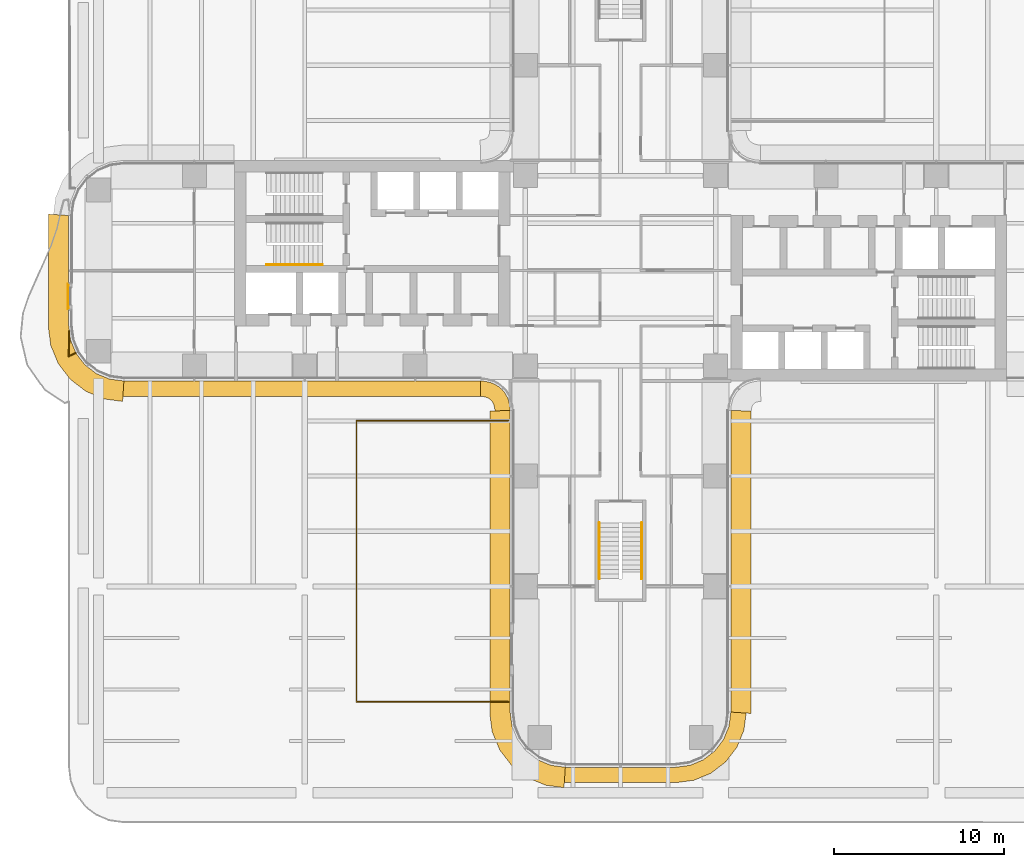
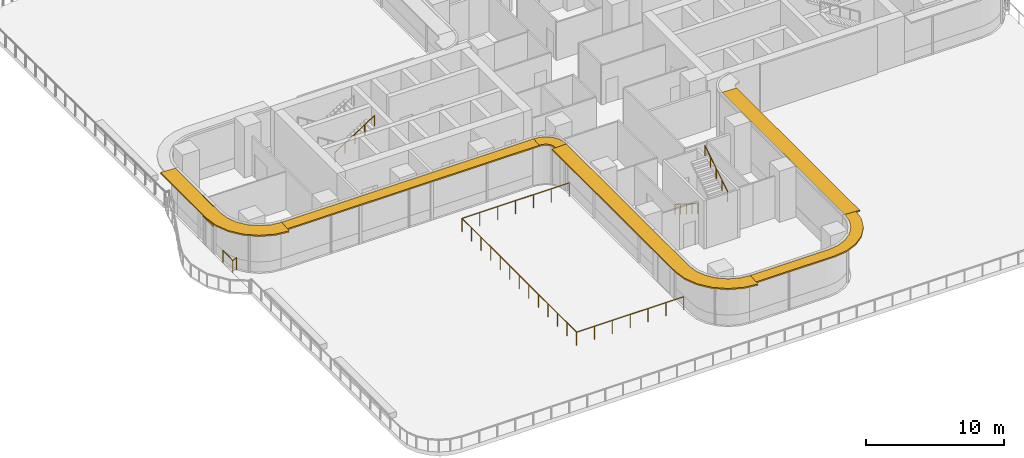
# One storey, part 25 of 29: 6 shading devices, 5 railings, 1 covering.
"""IFC4 building model written with IfcOpenShell, lengths in metres."""

from ifc_helpers import new_model, si_unit, direction, frame, origin, origin_2d, place, context, subcontext, project, spatial, polyline, rectangle, circle, outline, extrude, source, transform, mapped, material, layer, layer_set, type_object, element, save


model = new_model("IFC4")

# Units and contexts
model_context = context("Model", 3, precision=1e-05, world=origin(), true_north=direction((0.0, 1.0)))
body_context = subcontext(model_context, "Body", "Model", "MODEL_VIEW")
ifc_project = project(units=[si_unit("LENGTHUNIT", "METRE"), si_unit("AREAUNIT", "SQUARE_METRE"), si_unit("VOLUMEUNIT", "CUBIC_METRE"), si_unit("PLANEANGLEUNIT", "RADIAN"), si_unit("MASSUNIT", "GRAM", prefix="KILO")], contexts=[model_context])

# Site, building, storey
site_placement = place(None, origin())
site = spatial("IfcSite", under=ifc_project, at=site_placement, CompositionType="ELEMENT")
building_placement = place(site_placement, origin())
building = spatial("IfcBuilding", under=site, at=building_placement, Name="Trellis Farm Tower", CompositionType="ELEMENT")
storey_placement = place(building_placement, frame((0.0, 0.0, 34.0)))
storey = spatial("IfcBuildingStorey", under=building, at=storey_placement, Name="L06", CompositionType="ELEMENT", Elevation=34.0)

# Railing
ifc_material_1 = material(Name="Stainless steel 316", Category="steel")
railing_type_1 = type_object("IfcRailingType", Name="BALUSTRADE GUARD 1200", PredefinedType="GUARDRAIL", material=ifc_material_1)
railing_1_placement = place(storey_placement, frame((-6.60009765625, -25.39990234375, 0.0)))
element("IfcRailing", 1, at=railing_1_placement, inside=storey, type_object=railing_type_1, Name="GD2 ZN-1", PredefinedType="GUARDRAIL", context=body_context, shape_type="SweptSolid", body=[
    extrude(rectangle(XDim=0.050048828125, YDim=0.050048828125, at=origin_2d()), frame((0.0, 0.0, 1.1748046875), z_axis=(-1.0, 0.0, 0.0), x_axis=(0.0, -1.0, 0.0)), (0.0, 0.0, 1.0), 8.953125),
    extrude(rectangle(XDim=0.050048828125, YDim=0.050048828125, at=origin_2d()), frame((-8.953125, 0.0, 1.1748046875), z_axis=(0.0, 1.0, 0.0), x_axis=(-1.0, 0.0, 0.0)), (0.0, 0.0, 1.0), 16.568603515625),
    extrude(rectangle(XDim=0.050048828125, YDim=0.050048828125, at=origin_2d()), frame((-8.953125, 16.568603515625, 1.1748046875), z_axis=(1.0, 0.0, 0.0), x_axis=(0.0, 1.0, 0.0)), (0.0, 0.0, 1.0), 8.953125),
    extrude(rectangle(XDim=0.0400390625, YDim=0.0400390625, at=origin_2d()), origin(), (0.0, 0.0, 1.0), 1.14990234375),
    extrude(rectangle(XDim=0.0400390625, YDim=0.0400390625, at=origin_2d()), frame((-1.4921875, 0.0, 0.0)), (0.0, 0.0, 1.0), 1.14990234375),
    extrude(rectangle(XDim=0.0400390625, YDim=0.0400390625, at=origin_2d()), frame((-2.984375, 0.0, 0.0)), (0.0, 0.0, 1.0), 1.14990234375),
    extrude(rectangle(XDim=0.0400390625, YDim=0.0400390625, at=origin_2d()), frame((-4.4765625, 0.0, 0.0)), (0.0, 0.0, 1.0), 1.14990234375),
    extrude(rectangle(XDim=0.0400390625, YDim=0.0400390625, at=origin_2d()), frame((-5.96875, 0.0, 0.0)), (0.0, 0.0, 1.0), 1.14990234375),
    extrude(rectangle(XDim=0.0400390625, YDim=0.0400390625, at=origin_2d()), frame((-7.4609375, 0.0, 0.0)), (0.0, 0.0, 1.0), 1.14990234375),
    extrude(rectangle(XDim=0.0400390625, YDim=0.0400390625, at=origin_2d()), frame((-8.953125, 0.0, 0.0)), (0.0, 0.0, 1.0), 1.14990234375),
    extrude(rectangle(XDim=0.0400390625, YDim=0.0400390625, at=origin_2d()), frame((-8.953125, 1.380615234375, 0.0)), (0.0, 0.0, 1.0), 1.14990234375),
    extrude(rectangle(XDim=0.0400390625, YDim=0.0400390625, at=origin_2d()), frame((-8.953125, 2.761474609375, 0.0)), (0.0, 0.0, 1.0), 1.14990234375),
    extrude(rectangle(XDim=0.0400390625, YDim=0.0400390625, at=origin_2d()), frame((-8.953125, 4.14208984375, 0.0)), (0.0, 0.0, 1.0), 1.14990234375),
    extrude(rectangle(XDim=0.0400390625, YDim=0.0400390625, at=origin_2d()), frame((-8.953125, 5.52294921875, 0.0)), (0.0, 0.0, 1.0), 1.14990234375),
    extrude(rectangle(XDim=0.0400390625, YDim=0.0400390625, at=origin_2d()), frame((-8.953125, 6.903564453125, 0.0)), (0.0, 0.0, 1.0), 1.14990234375),
    extrude(rectangle(XDim=0.0400390625, YDim=0.0400390625, at=origin_2d()), frame((-8.953125, 8.2841796875, 0.0)), (0.0, 0.0, 1.0), 1.14990234375),
    extrude(rectangle(XDim=0.0400390625, YDim=0.0400390625, at=origin_2d()), frame((-8.953125, 9.6650390625, 0.0)), (0.0, 0.0, 1.0), 1.14990234375),
    extrude(rectangle(XDim=0.0400390625, YDim=0.0400390625, at=origin_2d()), frame((-8.953125, 11.045654296875, 0.0)), (0.0, 0.0, 1.0), 1.14990234375),
    extrude(rectangle(XDim=0.0400390625, YDim=0.0400390625, at=origin_2d()), frame((-8.953125, 12.426513671875, 0.0)), (0.0, 0.0, 1.0), 1.14990234375),
    extrude(rectangle(XDim=0.0400390625, YDim=0.0400390625, at=origin_2d()), frame((-8.953125, 13.80712890625, 0.0)), (0.0, 0.0, 1.0), 1.14990234375),
    extrude(rectangle(XDim=0.0400390625, YDim=0.0400390625, at=origin_2d()), frame((-8.953125, 15.18798828125, 0.0)), (0.0, 0.0, 1.0), 1.14990234375),
    extrude(rectangle(XDim=0.0400390625, YDim=0.0400390625, at=origin_2d()), frame((-8.953125, 16.568603515625, 0.0)), (0.0, 0.0, 1.0), 1.14990234375),
    extrude(rectangle(XDim=0.0400390625, YDim=0.0400390625, at=origin_2d()), frame((-7.4609375, 16.568603515625, 0.0)), (0.0, 0.0, 1.0), 1.14990234375),
    extrude(rectangle(XDim=0.0400390625, YDim=0.0400390625, at=origin_2d()), frame((-5.96875, 16.568603515625, 0.0)), (0.0, 0.0, 1.0), 1.14990234375),
    extrude(rectangle(XDim=0.0400390625, YDim=0.0400390625, at=origin_2d()), frame((-4.4765625, 16.568603515625, 0.0)), (0.0, 0.0, 1.0), 1.14990234375),
    extrude(rectangle(XDim=0.0400390625, YDim=0.0400390625, at=origin_2d()), frame((-2.984375, 16.568603515625, 0.0)), (0.0, 0.0, 1.0), 1.14990234375),
    extrude(rectangle(XDim=0.0400390625, YDim=0.0400390625, at=origin_2d()), frame((-1.4921875, 16.568603515625, 0.0)), (0.0, 0.0, 1.0), 1.14990234375),
    extrude(rectangle(XDim=0.0400390625, YDim=0.0400390625, at=origin_2d()), frame((0.0, 16.568603515625, 0.0)), (0.0, 0.0, 1.0), 1.14990234375),
])

# Covering
ifc_material_2 = material(Name="Sandstone", Category="masonry")
ifc_layer_1 = layer(ifc_material_2, 0.050048828125)
ifc_layer_set_1 = layer_set([ifc_layer_1], Name="STONE CLADDING PANEL")
covering_type = type_object("IfcCoveringType", Name="STONE CLADDING PANEL", PredefinedType="CLADDING", material=ifc_layer_set_1)
covering_placement = place(storey_placement, frame((0.0, 0.0, 2.39990234375)))
element("IfcCovering", 2, at=covering_placement, inside=storey, type_object=covering_type, Name="CD1 04", PredefinedType="CLADDING", context=body_context, shape_type="SweptSolid", body=[
    extrude(outline(polyline([(-32.550048828125, -0.77001953125), (-32.550048828125, -2.27001953125), (-32.5, -2.27001953125), (-32.5, -0.77001953125), (-32.550048828125, -0.77001953125)])), origin(), (0.0, 0.0, 1.0), 1.85009765625),
])

# Railings
ifc_material_3 = material(Name="Stainless steel", Category="steel")
railing_type_2 = type_object("IfcRailingType", Name="STAIR HANDRAIL 900", PredefinedType="HANDRAIL", material=ifc_material_3)
shared_shape_1 = source(origin(), body_context, "Body", "SweptSolid", [
    extrude(circle(Radius=0.02392578125, at=origin_2d()), frame((0.0, 0.0, 0.8759765625), z_axis=(0.0, 0.846319618018, 0.532675421018), x_axis=(-1.0, 0.0, 0.0)), (0.0, 0.0, 1.0), 3.89892578125),
    extrude(circle(Radius=0.02099609375, at=origin_2d()), origin(), (0.0, 0.0, 1.0), 0.851806640625),
    extrude(circle(Radius=0.02099609375, at=origin_2d()), frame((0.0, 0.824951171875, 0.519287109375)), (0.0, 0.0, 1.0), 0.851806640625),
    extrude(circle(Radius=0.02099609375, at=origin_2d()), frame((0.0, 1.64990234375, 1.03857421875)), (0.0, 0.0, 1.0), 0.851806640625),
    extrude(circle(Radius=0.02099609375, at=origin_2d()), frame((0.0, 2.474853515625, 1.5576171875)), (0.0, 0.0, 1.0), 0.851806640625),
    extrude(circle(Radius=0.02099609375, at=origin_2d()), frame((0.0, 3.2998046875, 2.076904296875)), (0.0, 0.0, 1.0), 0.851806640625),
])
railing_2_placement = place(storey_placement, frame((1.25, -18.14990234375, 2.423095703125)))
element("IfcRailing", 3, at=railing_2_placement, inside=storey, type_object=railing_type_2, Name="Stair handrail", PredefinedType="HANDRAIL", context=body_context, shape_type="MappedRepresentation", body=[
    mapped(shared_shape_1, transform((0.0, 0.0, 0.0))),
])
shared_shape_2 = source(origin(), body_context, "Body", "SweptSolid", [
    extrude(circle(Radius=0.02392578125, at=origin_2d()), frame((0.0, 0.0, 0.8759765625), z_axis=(0.0, -0.846319618018, 0.532675421018), x_axis=(1.0, 0.0, 0.0)), (0.0, 0.0, 1.0), 3.89892578125),
    extrude(circle(Radius=0.02099609375, at=origin_2d()), origin(), (0.0, 0.0, 1.0), 0.851806640625),
    extrude(circle(Radius=0.02099609375, at=origin_2d()), frame((0.0, -0.824951171875, 0.519287109375)), (0.0, 0.0, 1.0), 0.851806640625),
    extrude(circle(Radius=0.02099609375, at=origin_2d()), frame((0.0, -1.64990234375, 1.03857421875)), (0.0, 0.0, 1.0), 0.851806640625),
    extrude(circle(Radius=0.02099609375, at=origin_2d()), frame((0.0, -2.474853515625, 1.5576171875)), (0.0, 0.0, 1.0), 0.851806640625),
    extrude(circle(Radius=0.02099609375, at=origin_2d()), frame((0.0, -3.2998046875, 2.076904296875)), (0.0, 0.0, 1.0), 0.851806640625),
])
railing_3_placement = place(storey_placement, frame((-1.25, -14.85009765625, 0.173095703125)))
element("IfcRailing", 4, at=railing_3_placement, inside=storey, type_object=railing_type_2, Name="Stair handrail", PredefinedType="HANDRAIL", context=body_context, shape_type="MappedRepresentation", body=[
    mapped(shared_shape_2, transform((0.0, 0.0, 0.0))),
])
shared_shape_3 = source(origin(), body_context, "Body", "SweptSolid", [
    extrude(circle(Radius=0.02392578125, at=origin_2d()), frame((0.0, 0.0, 0.8759765625), z_axis=(0.846337383501, 0.0, 0.532647194011), x_axis=(0.0, 1.0, 0.0)), (0.0, 0.0, 1.0), 3.899169921875),
    extrude(circle(Radius=0.02099609375, at=origin_2d()), origin(), (0.0, 0.0, 1.0), 0.851806640625),
    extrude(circle(Radius=0.02099609375, at=origin_2d()), frame((0.824951171875, 0.0, 0.519287109375)), (0.0, 0.0, 1.0), 0.851806640625),
    extrude(circle(Radius=0.02099609375, at=origin_2d()), frame((1.64990234375, 0.0, 1.03857421875)), (0.0, 0.0, 1.0), 0.851806640625),
    extrude(circle(Radius=0.02099609375, at=origin_2d()), frame((2.47509765625, 0.0, 1.5576171875)), (0.0, 0.0, 1.0), 0.851806640625),
    extrude(circle(Radius=0.02099609375, at=origin_2d()), frame((3.300048828125, 0.0, 2.076904296875)), (0.0, 0.0, 1.0), 0.851806640625),
])
railing_4_placement = place(storey_placement, frame((-20.85009765625, 0.35009765625, 2.423095703125)))
element("IfcRailing", 5, at=railing_4_placement, inside=storey, type_object=railing_type_2, Name="Stair handrail", PredefinedType="HANDRAIL", context=body_context, shape_type="MappedRepresentation", body=[
    mapped(shared_shape_3, transform((0.0, 0.0, 0.0))),
])

# Shading devices
ifc_material_4 = material(Name="Aluminium extrusion 6063-T6", Category="aluminium")
ifc_layer_2 = layer(ifc_material_4, 0.1201171875)
ifc_layer_set_2 = layer_set([ifc_layer_2], Name="SUNSHADE BLADE 900")
shading_device_type_1 = type_object("IfcShadingDeviceType", Name="SUNSHADE BLADE 900", PredefinedType="USERDEFINED", material=ifc_layer_set_2)
shared_shape_4 = source(origin(), body_context, "Body", "SweptSolid", [
    extrude(outline(polyline([(-29.30908203125, -7.39990234375), (-8.2607421875, -7.39990234375), (-8.2314453125, -6.5), (-29.25, -6.5), (-29.30908203125, -7.39990234375)])), origin(), (0.0, 0.0, 1.0), 0.119873046875),
])
placement = place(storey_placement, frame((0.0, 0.0, 4.090087890625)))
element("IfcShadingDevice", 6, at=placement, inside=storey, type_object=shading_device_type_1, Name="SD1 001", ObjectType="SUNSHADE", PredefinedType="USERDEFINED", context=body_context, shape_type="MappedRepresentation", body=[
    mapped(shared_shape_4, transform((0.0, 0.0, 0.0))),
])
shared_shape_5 = source(origin(), body_context, "Body", "SweptSolid", [
    extrude(outline(polyline([(-8.2607421875, -7.39990234375), (-8.107666015625, -7.409912109375), (-8.091552734375, -7.412109375), (-7.85595703125, -7.475341796875), (-7.697021484375, -7.567138671875), (-7.567138671875, -7.697021484375), (-7.475341796875, -7.85595703125), (-7.412109375, -8.091552734375), (-7.409912109375, -8.107666015625), (-7.39990234375, -8.2607421875), (-6.5, -8.2314453125), (-6.513916015625, -8.01953125), (-6.527587890625, -7.91552734375), (-6.63671875, -7.508544921875), (-6.846923828125, -7.144287109375), (-7.144287109375, -6.846923828125), (-7.508544921875, -6.63671875), (-7.91552734375, -6.527587890625), (-8.01953125, -6.513916015625), (-8.2314453125, -6.5), (-8.2607421875, -7.39990234375)])), origin(), (0.0, 0.0, 1.0), 0.119873046875),
])
element("IfcShadingDevice", 7, at=placement, inside=storey, type_object=shading_device_type_1, Name="SD1 002", ObjectType="SUNSHADE", PredefinedType="USERDEFINED", context=body_context, shape_type="MappedRepresentation", body=[
    mapped(shared_shape_5, transform((0.0, 0.0, 0.0))),
])
ifc_layer_3 = layer(ifc_material_4, 0.1201171875)
ifc_layer_set_3 = layer_set([ifc_layer_3], Name="SUNSHADE BLADE 1200")
shading_device_type_2 = type_object("IfcShadingDeviceType", Name="SUNSHADE BLADE 1200", PredefinedType="USERDEFINED", material=ifc_layer_set_3)
shared_shape_6 = source(origin(), body_context, "Body", "SweptSolid", [
    extrude(outline(polyline([(-7.699951171875, -8.270751953125), (-7.699951171875, -26.07861328125), (-7.558349609375, -27.154541015625), (-7.11279296875, -28.230224609375), (-6.404052734375, -29.154052734375), (-5.480224609375, -29.86279296875), (-4.404541015625, -30.308349609375), (-3.32861328125, -30.449951171875), (-3.25, -29.25), (-4.091064453125, -29.13916015625), (-4.875, -28.814697265625), (-5.548095703125, -28.298095703125), (-6.064697265625, -27.625), (-6.38916015625, -26.841064453125), (-6.5, -26.0), (-6.5, -8.2314453125), (-7.699951171875, -8.270751953125)])), origin(), (0.0, 0.0, 1.0), 0.119873046875),
])
element("IfcShadingDevice", 8, at=placement, inside=storey, type_object=shading_device_type_2, Name="SD2 003", ObjectType="SUNSHADE", PredefinedType="USERDEFINED", context=body_context, shape_type="MappedRepresentation", body=[
    mapped(shared_shape_6, transform((0.0, 0.0, 0.0))),
])
shared_shape_7 = source(origin(), body_context, "Body", "SweptSolid", [
    extrude(outline(polyline([(-3.30908203125, -30.14990234375), (3.30908203125, -30.14990234375), (4.326171875, -30.01611328125), (5.328857421875, -29.600830078125), (6.18994140625, -28.93994140625), (6.850830078125, -28.078857421875), (7.26611328125, -27.076171875), (7.39990234375, -26.05908203125), (6.5, -26.0), (6.38916015625, -26.841064453125), (6.064697265625, -27.625), (5.548095703125, -28.298095703125), (4.875, -28.814697265625), (4.091064453125, -29.13916015625), (3.25, -29.25), (-3.25, -29.25), (-3.30908203125, -30.14990234375)])), origin(), (0.0, 0.0, 1.0), 0.119873046875),
])
element("IfcShadingDevice", 9, at=placement, inside=storey, type_object=shading_device_type_1, Name="SD1 004", ObjectType="SUNSHADE", PredefinedType="USERDEFINED", context=body_context, shape_type="MappedRepresentation", body=[
    mapped(shared_shape_7, transform((0.0, 0.0, 0.0))),
])
shared_shape_8 = source(origin(), body_context, "Body", "SweptSolid", [
    extrude(outline(polyline([(7.699951171875, -26.07861328125), (7.699951171875, -8.270751953125), (6.5, -8.2314453125), (6.5, -26.0), (7.699951171875, -26.07861328125)])), origin(), (0.0, 0.0, 1.0), 0.119873046875),
])
element("IfcShadingDevice", 10, at=placement, inside=storey, type_object=shading_device_type_2, Name="SD2 005", ObjectType="SUNSHADE", PredefinedType="USERDEFINED", context=body_context, shape_type="MappedRepresentation", body=[
    mapped(shared_shape_8, transform((0.0, 0.0, 0.0))),
])
shared_shape_9 = source(origin(), body_context, "Body", "SweptSolid", [
    extrude(outline(polyline([(-33.699951171875, 3.32861328125), (-33.699951171875, -3.32861328125), (-33.558349609375, -4.404541015625), (-33.11279296875, -5.480224609375), (-32.404052734375, -6.404052734375), (-31.480224609375, -7.11279296875), (-30.404541015625, -7.558349609375), (-29.32861328125, -7.699951171875), (-29.25, -6.5), (-30.091064453125, -6.38916015625), (-30.875, -6.064697265625), (-31.548095703125, -5.548095703125), (-32.064697265625, -4.875), (-32.38916015625, -4.091064453125), (-32.5, -3.25), (-32.5, 3.25), (-33.699951171875, 3.32861328125)])), origin(), (0.0, 0.0, 1.0), 0.119873046875),
])
element("IfcShadingDevice", 11, at=placement, inside=storey, type_object=shading_device_type_2, Name="SD2 016", ObjectType="SUNSHADE", PredefinedType="USERDEFINED", context=body_context, shape_type="MappedRepresentation", body=[
    mapped(shared_shape_9, transform((0.0, 0.0, 0.0))),
])

# Railing
railing_type_3 = type_object("IfcRailingType", Name="BALUSTRADE GUARD 1100", PredefinedType="GUARDRAIL", material=ifc_material_1)
shared_shape_10 = source(origin(), body_context, "Body", "SweptSolid", [
    extrude(rectangle(XDim=0.050048828125, YDim=0.050048828125, at=origin_2d()), frame((0.0, 0.0, 1.0751953125), z_axis=(-0.026650654848, -0.999644808217, 0.0), x_axis=(0.999644808217, -0.026650654848, 0.0)), (0.0, 0.0, 1.0), 1.4931640625),
    extrude(rectangle(XDim=0.050048828125, YDim=0.050048828125, at=origin_2d()), frame((-0.039794921875, -1.49267578125, 1.0751953125), z_axis=(0.901514911476, 0.432748037993, 0.0), x_axis=(-0.432748037993, 0.901514911476, 0.0)), (0.0, 0.0, 1.0), 0.4677734375),
    extrude(rectangle(XDim=0.0400390625, YDim=0.0400390625, at=origin_2d()), origin(), (0.0, 0.0, 1.0), 1.050048828125),
    extrude(rectangle(XDim=0.0400390625, YDim=0.0400390625, at=origin_2d()), frame((-0.039794921875, -1.49267578125, 0.0)), (0.0, 0.0, 1.0), 1.050048828125),
    extrude(rectangle(XDim=0.0400390625, YDim=0.0400390625, at=origin_2d()), frame((0.3818359375, -1.290283203125, 0.0)), (0.0, 0.0, 1.0), 1.050048828125),
])
railing_5_placement = place(storey_placement, frame((-32.460205078125, -3.55126953125, 0.0)))
element("IfcRailing", 12, at=railing_5_placement, inside=storey, type_object=railing_type_3, Name="GD1 BAL-1", PredefinedType="GUARDRAIL", context=body_context, shape_type="MappedRepresentation", body=[
    mapped(shared_shape_10, transform((0.0, 0.0, 0.0))),
])

save(model, "model.ifc")
